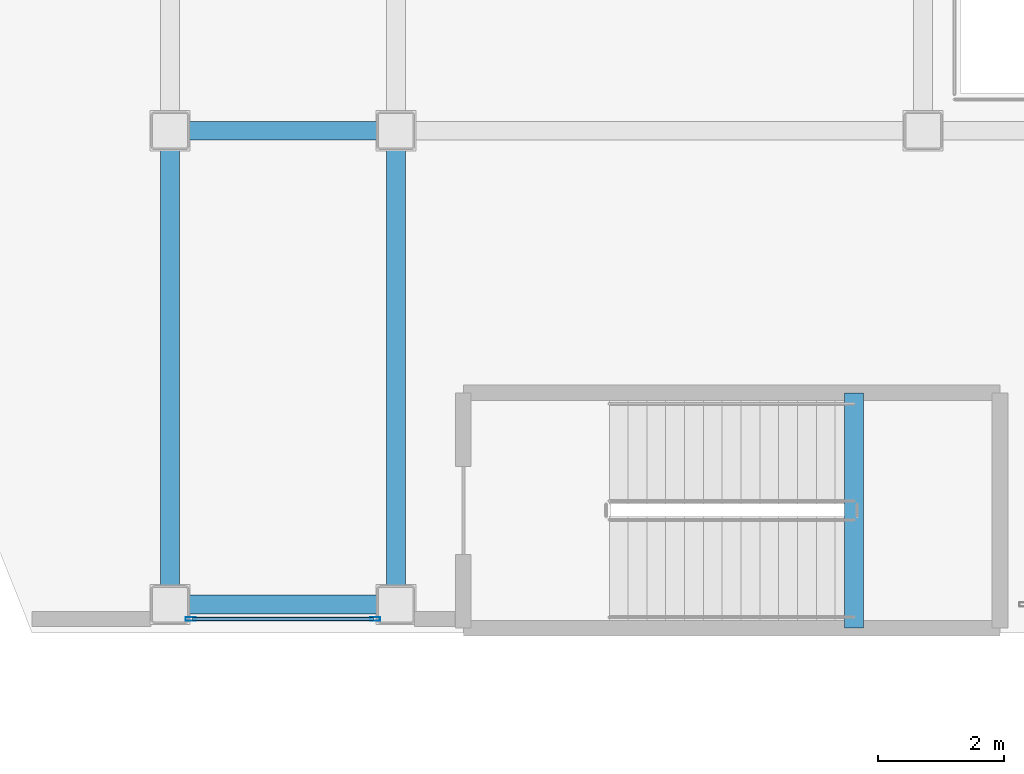
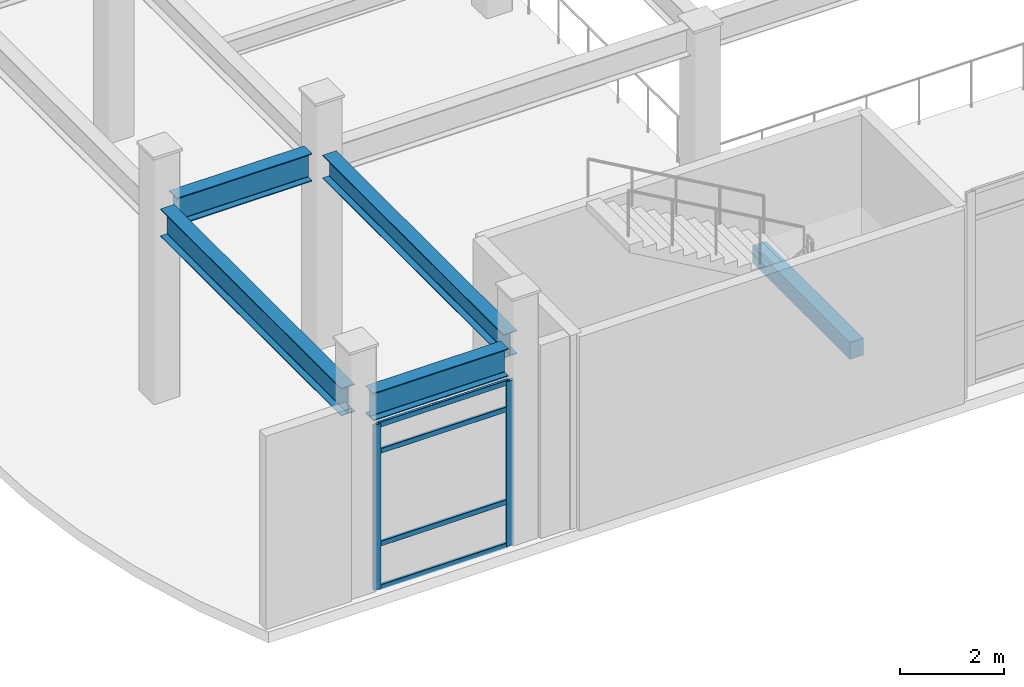
# One storey, part 8 of 172: 6 members, 5 beams, 1 element without a shape of its own.
"""IFC4 building model written with IfcOpenShell, lengths in metres."""

from ifc_helpers import new_model, si_unit, direction, frame, origin, origin_2d, place, context, subcontext, project, spatial, rectangle, hollow_rectangle, i_section, extrude, material, layer, layer_set, material_profile, profile_set, type_object, element, aggregate, save


model = new_model("IFC4")

# Units and contexts
model_context = context("Model", 3, precision=1e-05, world=origin(), true_north=direction((0.0, 1.0)))
body_context = subcontext(model_context, "Body", "Model", "MODEL_VIEW")
ifc_project = project(units=[si_unit("LENGTHUNIT", "METRE"), si_unit("AREAUNIT", "SQUARE_METRE"), si_unit("VOLUMEUNIT", "CUBIC_METRE"), si_unit("PLANEANGLEUNIT", "RADIAN"), si_unit("MASSUNIT", "GRAM", prefix="KILO")], contexts=[model_context])

# Site, building, storey
site_placement = place(None, origin())
site = spatial("IfcSite", under=ifc_project, at=site_placement, CompositionType="ELEMENT")
building_placement = place(site_placement, origin())
building = spatial("IfcBuilding", under=site, at=building_placement, Name="Kazehara Bluff Congress Hotel", CompositionType="ELEMENT")
storey_placement = place(building_placement, frame((0.0, 0.0, 5.39990234375)))
storey = spatial("IfcBuildingStorey", under=building, at=storey_placement, Name="L01", CompositionType="ELEMENT", Elevation=5.39990234375)

# Curtain wall, members
ifc_material_1 = material(Name="Anodised aluminium", Category="aluminium")
ifc_layer = layer(ifc_material_1, 0.159912109375)
ifc_layer_set = layer_set([ifc_layer], Name="Anodised aluminium")
curtain_wall_type = type_object("IfcCurtainWallType", Name="TP-CW-110", PredefinedType="NOTDEFINED", material=ifc_layer_set)
curtain_wall_placement = place(storey_placement, origin())
curtain_wall = element("IfcCurtainWall", 1, at=curtain_wall_placement, inside=storey, type_object=curtain_wall_type, Name="L01 curtain wall CW-110 CW-ENC-V2-L01-660-22", PredefinedType="NOTDEFINED")
ifc_material_2 = material(Name="Anodised aluminium", Category="aluminium")
ifc_material_profile_1 = material_profile(ifc_material_2, hollow_rectangle(XDim=0.06005859375, YDim=0.159912109375, WallThickness=0.00390625, InnerFilletRadius=0.00390625, OuterFilletRadius=0.008056640625, at=origin_2d()))
ifc_profile_set_1 = profile_set([ifc_material_profile_1], Name="Anodised aluminium")
member_type_1 = type_object("IfcMemberType", Name="TP-CWM-01", PredefinedType="MULLION", material=ifc_profile_set_1)
member_1_placement = place(storey_placement, frame((8.070068359375, 0.219970703125, 0.0), z_axis=(0.0, 0.0, 1.0), x_axis=(0.0, -1.0, 0.0)))
member_1 = element("IfcMember", 2, at=member_1_placement, type_object=member_type_1, Name="CW-110 mullion 1", PredefinedType="MULLION", context=body_context, shape_type="SweptSolid", body=[
    extrude(hollow_rectangle(XDim=0.06005859375, YDim=0.159912109375, WallThickness=0.00390625, InnerFilletRadius=0.00390625, OuterFilletRadius=0.008056640625, at=origin_2d()), origin(), (0.0, 0.0, 1.0), 3.875),
])
member_2_placement = place(storey_placement, frame((5.1298828125, 0.219970703125, 0.0), z_axis=(0.0, 0.0, 1.0), x_axis=(0.0, -1.0, 0.0)))
member_2 = element("IfcMember", 3, at=member_2_placement, type_object=member_type_1, Name="CW-110 mullion 2", PredefinedType="MULLION", context=body_context, shape_type="SweptSolid", body=[
    extrude(hollow_rectangle(XDim=0.06005859375, YDim=0.159912109375, WallThickness=0.00390625, InnerFilletRadius=0.00390625, OuterFilletRadius=0.008056640625, at=origin_2d()), origin(), (0.0, 0.0, 1.0), 3.875),
])
ifc_material_3 = material(Name="Anodised aluminium", Category="aluminium")
ifc_material_profile_2 = material_profile(ifc_material_3, hollow_rectangle(XDim=0.06005859375, YDim=0.1201171875, WallThickness=0.00390625, InnerFilletRadius=0.00390625, OuterFilletRadius=0.008056640625, at=origin_2d()))
ifc_profile_set_2 = profile_set([ifc_material_profile_2], Name="Anodised aluminium")
member_type_2 = type_object("IfcMemberType", Name="TP-CWT-01", PredefinedType="USERDEFINED", material=ifc_profile_set_2)
member_3_placement = place(storey_placement, frame((8.0400390625, 0.219970703125, 0.030029296875), z_axis=(-1.0, 0.0, 0.0), x_axis=(0.0, -1.0, 0.0)))
member_3 = element("IfcMember", 4, at=member_3_placement, type_object=member_type_2, Name="CW-110 transom 1.1", ObjectType="TRANSOM", PredefinedType="USERDEFINED", context=body_context, shape_type="SweptSolid", body=[
    extrude(hollow_rectangle(XDim=0.06005859375, YDim=0.1201171875, WallThickness=0.00390625, InnerFilletRadius=0.00390625, OuterFilletRadius=0.008056640625, at=origin_2d()), origin(), (0.0, 0.0, 1.0), 2.880126953125),
])
member_4_placement = place(storey_placement, frame((8.0400390625, 0.219970703125, 1.050048828125), z_axis=(-1.0, 0.0, 0.0), x_axis=(0.0, -1.0, 0.0)))
member_4 = element("IfcMember", 5, at=member_4_placement, type_object=member_type_2, Name="CW-110 transom 1.2", ObjectType="TRANSOM", PredefinedType="USERDEFINED", context=body_context, shape_type="SweptSolid", body=[
    extrude(hollow_rectangle(XDim=0.06005859375, YDim=0.1201171875, WallThickness=0.00390625, InnerFilletRadius=0.00390625, OuterFilletRadius=0.008056640625, at=origin_2d()), origin(), (0.0, 0.0, 1.0), 2.880126953125),
])
member_5_placement = place(storey_placement, frame((8.0400390625, 0.219970703125, 3.22509765625), z_axis=(-1.0, 0.0, 0.0), x_axis=(0.0, -1.0, 0.0)))
member_5 = element("IfcMember", 6, at=member_5_placement, type_object=member_type_2, Name="CW-110 transom 1.3", ObjectType="TRANSOM", PredefinedType="USERDEFINED", context=body_context, shape_type="SweptSolid", body=[
    extrude(hollow_rectangle(XDim=0.06005859375, YDim=0.1201171875, WallThickness=0.00390625, InnerFilletRadius=0.00390625, OuterFilletRadius=0.008056640625, at=origin_2d()), origin(), (0.0, 0.0, 1.0), 2.880126953125),
])
member_6_placement = place(storey_placement, frame((8.0400390625, 0.219970703125, 3.84521484375), z_axis=(-1.0, 0.0, 0.0), x_axis=(0.0, -1.0, 0.0)))
member_6 = element("IfcMember", 7, at=member_6_placement, type_object=member_type_2, Name="CW-110 transom 1.4", ObjectType="TRANSOM", PredefinedType="USERDEFINED", context=body_context, shape_type="SweptSolid", body=[
    extrude(hollow_rectangle(XDim=0.06005859375, YDim=0.1201171875, WallThickness=0.00390625, InnerFilletRadius=0.00390625, OuterFilletRadius=0.008056640625, at=origin_2d()), origin(), (0.0, 0.0, 1.0), 2.880126953125),
])
aggregate(curtain_wall, [member_1, member_2, member_3, member_4, member_5, member_6])

# Beams
ifc_material_4 = material(Name="Steel SN490B", Category="steel")
ifc_material_profile_3 = material_profile(ifc_material_4, i_section(OverallWidth=0.300048828125, OverallDepth=0.64990234375, WebThickness=0.011962890625, FlangeThickness=0.02001953125, FilletRadius=0.012939453125, at=origin_2d()))
ifc_profile_set_3 = profile_set([ifc_material_profile_3], Name="Steel SN490B")
beam_type_1 = type_object("IfcBeamType", Name="TP-G-03", PredefinedType="BEAM", material=ifc_profile_set_3)
beam_1_placement = place(storey_placement, frame((4.800048828125, 0.75, 4.22509765625), z_axis=(0.0, 1.0, 0.0), x_axis=(-1.0, 0.0, 0.0)))
element("IfcBeam", 8, at=beam_1_placement, inside=storey, type_object=beam_type_1, Name="L01 girder G-03 41", PredefinedType="BEAM", context=body_context, shape_type="SweptSolid", body=[
    extrude(i_section(OverallWidth=0.300048828125, OverallDepth=0.64990234375, WebThickness=0.011962890625, FlangeThickness=0.02001953125, FilletRadius=0.012939453125, at=origin_2d()), origin(), (0.0, 0.0, 1.0), 6.949951171875),
])
for number, where, z_axis, x_axis, name in (
    (9, (5.10009765625, 0.449951171875, 4.22509765625), (1.0, 0.0, 0.0), (0.0, 1.0, 0.0), "L01 girder G-03 70"),
    (10, (5.10009765625, 8.0, 4.22509765625), (1.0, 0.0, 0.0), (0.0, 1.0, 0.0), "L01 girder G-03 73"),
):
    element("IfcBeam", number, at=place(storey_placement, frame(where, z_axis=z_axis, x_axis=x_axis)), inside=storey, type_object=beam_type_1, Name=name, PredefinedType="BEAM", context=body_context, shape_type="SweptSolid", body=[
        extrude(i_section(OverallWidth=0.300048828125, OverallDepth=0.64990234375, WebThickness=0.011962890625, FlangeThickness=0.02001953125, FilletRadius=0.012939453125, at=origin_2d()), origin(), (0.0, 0.0, 1.0), 3.0),
    ])
ifc_material_5 = material(Name="Concrete C40/50", Category="concrete")
ifc_material_profile_4 = material_profile(ifc_material_5, rectangle(XDim=0.300048828125, YDim=0.39990234375, at=origin_2d()))
ifc_profile_set_4 = profile_set([ifc_material_profile_4], Name="Concrete C40/50")
beam_type_2 = type_object("IfcBeamType", Name="TP-LN-02", PredefinedType="LINTEL", material=ifc_profile_set_4)
beam_2_placement = place(storey_placement, frame((15.699951171875, 0.074951171875, 2.02001953125), z_axis=(0.0, 1.0, 0.0), x_axis=(-1.0, 0.0, 0.0)))
element("IfcBeam", 11, at=beam_2_placement, inside=storey, type_object=beam_type_2, Name="L01 ST-04 half-landing support beam 1", PredefinedType="LINTEL", context=body_context, shape_type="SweptSolid", body=[
    extrude(rectangle(XDim=0.300048828125, YDim=0.39990234375, at=origin_2d()), origin(), (0.0, 0.0, 1.0), 3.75),
])
ifc_material_6 = material(Name="Steel SN490B", Category="steel")
ifc_material_profile_5 = material_profile(ifc_material_6, i_section(OverallWidth=0.300048828125, OverallDepth=0.550048828125, WebThickness=0.010986328125, FlangeThickness=0.01806640625, FilletRadius=0.012939453125, at=origin_2d()))
ifc_profile_set_5 = profile_set([ifc_material_profile_5], Name="Steel SN490B")
beam_type_3 = type_object("IfcBeamType", Name="TP-SP-01", PredefinedType="SPANDREL", material=ifc_profile_set_5)
beam_3_placement = place(storey_placement, frame((8.39990234375, 0.75, 4.275146484375), z_axis=(0.0, 1.0, 0.0), x_axis=(-1.0, 0.0, 0.0)))
element("IfcBeam", 12, at=beam_3_placement, inside=storey, type_object=beam_type_3, Name="L01 girder SP-01 45", PredefinedType="SPANDREL", context=body_context, shape_type="SweptSolid", body=[
    extrude(i_section(OverallWidth=0.300048828125, OverallDepth=0.550048828125, WebThickness=0.010986328125, FlangeThickness=0.01806640625, FilletRadius=0.012939453125, at=origin_2d()), origin(), (0.0, 0.0, 1.0), 6.949951171875),
])

save(model, "model.ifc")
